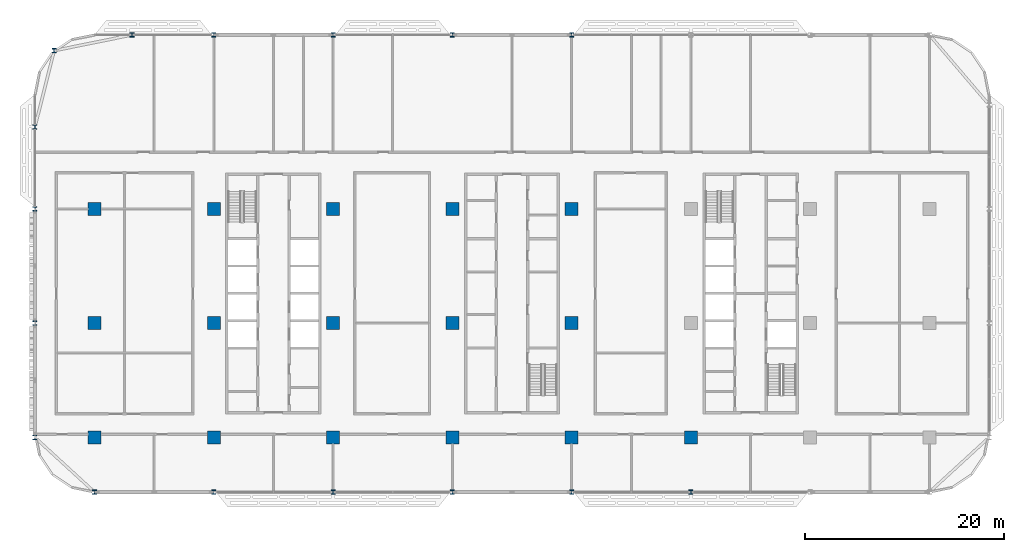
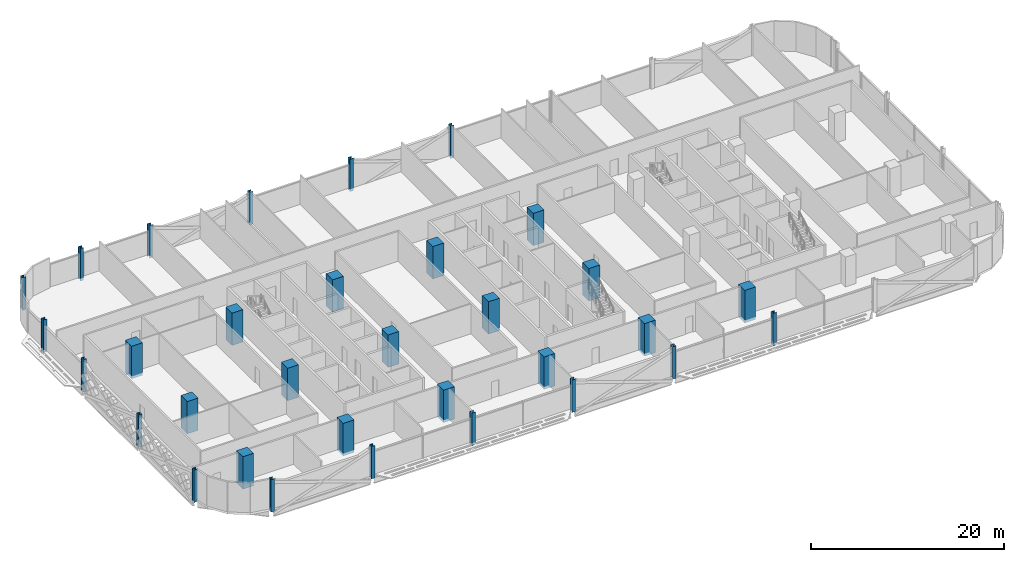
# One storey, part 1 of 29: 32 columns.
"""IFC4 building model written with IfcOpenShell, lengths in metres."""

from ifc_helpers import new_model, si_unit, direction, frame, origin, origin_2d, place, context, subcontext, project, spatial, rectangle, i_section, extrude, material, material_profile, profile_set, type_object, element, save


model = new_model("IFC4")

# Units and contexts
model_context = context("Model", 3, precision=1e-05, world=origin(), true_north=direction((0.0, 1.0)))
body_context = subcontext(model_context, "Body", "Model", "MODEL_VIEW")
ifc_project = project(units=[si_unit("LENGTHUNIT", "METRE"), si_unit("AREAUNIT", "SQUARE_METRE"), si_unit("VOLUMEUNIT", "CUBIC_METRE"), si_unit("PLANEANGLEUNIT", "RADIAN"), si_unit("MASSUNIT", "GRAM", prefix="KILO")], contexts=[model_context])

# Site, building, storey
site_placement = place(None, origin())
site = spatial("IfcSite", under=ifc_project, at=site_placement, CompositionType="ELEMENT")
building_placement = place(site_placement, origin())
building = spatial("IfcBuilding", under=site, at=building_placement, Name="Mahtab Terrace Research Tower", CompositionType="ELEMENT")
storey_placement = place(building_placement, frame((0.0, 0.0, 126.10009765625)))
storey = spatial("IfcBuildingStorey", under=building, at=storey_placement, Name="L29", CompositionType="ELEMENT", Elevation=126.10009765625)

# Columns
ifc_material_1 = material(Name="Concrete C70/85", Category="concrete")
ifc_material_profile_1 = material_profile(ifc_material_1, rectangle(XDim=1.300048828125, YDim=1.300048828125, at=origin_2d()), Name="RC column 1300x1300")
ifc_profile_set_1 = profile_set([ifc_material_profile_1], Name="Concrete C70/85")
column_type_1 = type_object("IfcColumnType", Name="RC column 1300x1300", PredefinedType="COLUMN", material=ifc_profile_set_1)
for number, where, z_axis, x_axis, name in (
    (1, (-42.0, -11.5, -0.340087890625), (0.0, 0.0, 1.0), (1.0, 0.0, 0.0), "Column RC-1A L29"),
    (2, (-42.0, 0.0, -0.340087890625), (0.0, 0.0, 1.0), (1.0, 0.0, 0.0), "Column RC-1B L29"),
    (3, (-42.0, 11.5, -0.340087890625), (0.0, 0.0, 1.0), (1.0, 0.0, 0.0), "Column RC-1C L29"),
    (4, (-30.0, -11.5, -0.340087890625), (0.0, 0.0, 1.0), (1.0, 0.0, 0.0), "Column RC-2A L29"),
    (5, (-30.0, 0.0, -0.340087890625), (0.0, 0.0, 1.0), (1.0, 0.0, 0.0), "Column RC-2B L29"),
    (6, (-30.0, 11.5, -0.340087890625), (0.0, 0.0, 1.0), (1.0, 0.0, 0.0), "Column RC-2C L29"),
    (7, (-18.0, -11.5, -0.340087890625), (0.0, 0.0, 1.0), (1.0, 0.0, 0.0), "Column RC-3A L29"),
    (8, (-18.0, 0.0, -0.340087890625), (0.0, 0.0, 1.0), (1.0, 0.0, 0.0), "Column RC-3B L29"),
    (9, (-18.0, 11.5, -0.340087890625), (0.0, 0.0, 1.0), (1.0, 0.0, 0.0), "Column RC-3C L29"),
    (10, (-6.0, -11.5, -0.340087890625), (0.0, 0.0, 1.0), (1.0, 0.0, 0.0), "Column RC-4A L29"),
    (11, (-6.0, 0.0, -0.340087890625), (0.0, 0.0, 1.0), (1.0, 0.0, 0.0), "Column RC-4B L29"),
    (12, (-6.0, 11.5, -0.340087890625), (0.0, 0.0, 1.0), (1.0, 0.0, 0.0), "Column RC-4C L29"),
    (13, (6.0, -11.5, -0.340087890625), (0.0, 0.0, 1.0), (1.0, 0.0, 0.0), "Column RC-5A L29"),
    (14, (6.0, 0.0, -0.340087890625), (0.0, 0.0, 1.0), (1.0, 0.0, 0.0), "Column RC-5B L29"),
    (15, (6.0, 11.5, -0.340087890625), (0.0, 0.0, 1.0), (1.0, 0.0, 0.0), "Column RC-5C L29"),
    (16, (18.0, -11.5, -0.340087890625), (0.0, 0.0, 1.0), (1.0, 0.0, 0.0), "Column RC-6A L29"),
):
    element("IfcColumn", number, at=place(storey_placement, frame(where, z_axis=z_axis, x_axis=x_axis)), inside=storey, type_object=column_type_1, Name=name, PredefinedType="COLUMN", context=body_context, shape_type="SweptSolid", body=[
        extrude(rectangle(XDim=1.300048828125, YDim=1.300048828125, at=origin_2d()), origin(), (0.0, 0.0, 1.0), 4.10009765625),
    ])
ifc_material_2 = material(Name="Steel ASTM A992 Gr 50", Category="steel")
ifc_material_profile_2 = material_profile(ifc_material_2, i_section(OverallWidth=0.41162109375, OverallDepth=0.434326171875, WebThickness=0.035888671875, FlangeThickness=0.057373046875, at=origin_2d()), Name="W14X311")
ifc_profile_set_2 = profile_set([ifc_material_profile_2], Name="Steel ASTM A992 Gr 50")
column_type_2 = type_object("IfcColumnType", Name="W14x311 column CS14311", PredefinedType="COLUMN", material=ifc_profile_set_2)
for number, where, z_axis, x_axis, name in (
    (17, (6.0, 29.0, -0.340087890625), (0.0, 0.0, 1.0), (1.0, 0.0, 0.0), "Column SC-034 L29"),
    (18, (-6.0, 29.0, -0.340087890625), (0.0, 0.0, 1.0), (1.0, 0.0, 0.0), "Column SC-035 L29"),
    (19, (-18.0, 29.0, -0.340087890625), (0.0, 0.0, 1.0), (1.0, 0.0, 0.0), "Column SC-036 L29"),
    (20, (-30.0, 29.0, -0.340087890625), (0.0, 0.0, 1.0), (1.0, 0.0, 0.0), "Column SC-037 L29"),
    (21, (-38.23095703125, 29.0, -0.340087890625), (0.0, 0.0, 1.0), (1.0, 0.0, 0.0), "Column SC-046 L29"),
    (22, (-46.06201171875, 27.416015625, -0.340087890625), (0.0, 0.0, 1.0), (1.0, 0.0, 0.0), "Column SC-047 L29"),
    (23, (-48.0, 19.73095703125, -0.340087890625), (0.0, 0.0, 1.0), (1.0, 0.0, 0.0), "Column SC-048 L29"),
    (24, (-48.0, 11.5, -0.340087890625), (0.0, 0.0, 1.0), (1.0, 0.0, 0.0), "Column SC-009 L29"),
    (25, (-48.0, 0.0, -0.340087890625), (0.0, 0.0, 1.0), (1.0, 0.0, 0.0), "Column SC-010 L29"),
    (26, (-48.0, -11.5, -0.340087890625), (0.0, 0.0, 1.0), (1.0, 0.0, 0.0), "Column SC-011 L29"),
    (27, (-42.0, -17.0, -0.340087890625), (0.0, 0.0, 1.0), (1.0, 0.0, 0.0), "Column SC-049 L29"),
    (28, (-30.0, -17.0, -0.340087890625), (0.0, 0.0, 1.0), (1.0, 0.0, 0.0), "Column SC-039 L29"),
    (29, (-18.0, -17.0, -0.340087890625), (0.0, 0.0, 1.0), (1.0, 0.0, 0.0), "Column SC-040 L29"),
    (30, (-6.0, -17.0, -0.340087890625), (0.0, 0.0, 1.0), (1.0, 0.0, 0.0), "Column SC-041 L29"),
    (31, (6.0, -17.0, -0.340087890625), (0.0, 0.0, 1.0), (1.0, 0.0, 0.0), "Column SC-042 L29"),
    (32, (18.0, -17.0, -0.340087890625), (0.0, 0.0, 1.0), (1.0, 0.0, 0.0), "Column SC-043 L29"),
):
    element("IfcColumn", number, at=place(storey_placement, frame(where, z_axis=z_axis, x_axis=x_axis)), inside=storey, type_object=column_type_2, Name=name, PredefinedType="COLUMN", context=body_context, shape_type="SweptSolid", body=[
        extrude(i_section(OverallWidth=0.41162109375, OverallDepth=0.434326171875, WebThickness=0.035888671875, FlangeThickness=0.057373046875, at=origin_2d()), origin(), (0.0, 0.0, 1.0), 4.10009765625),
    ])

save(model, "model.ifc")
